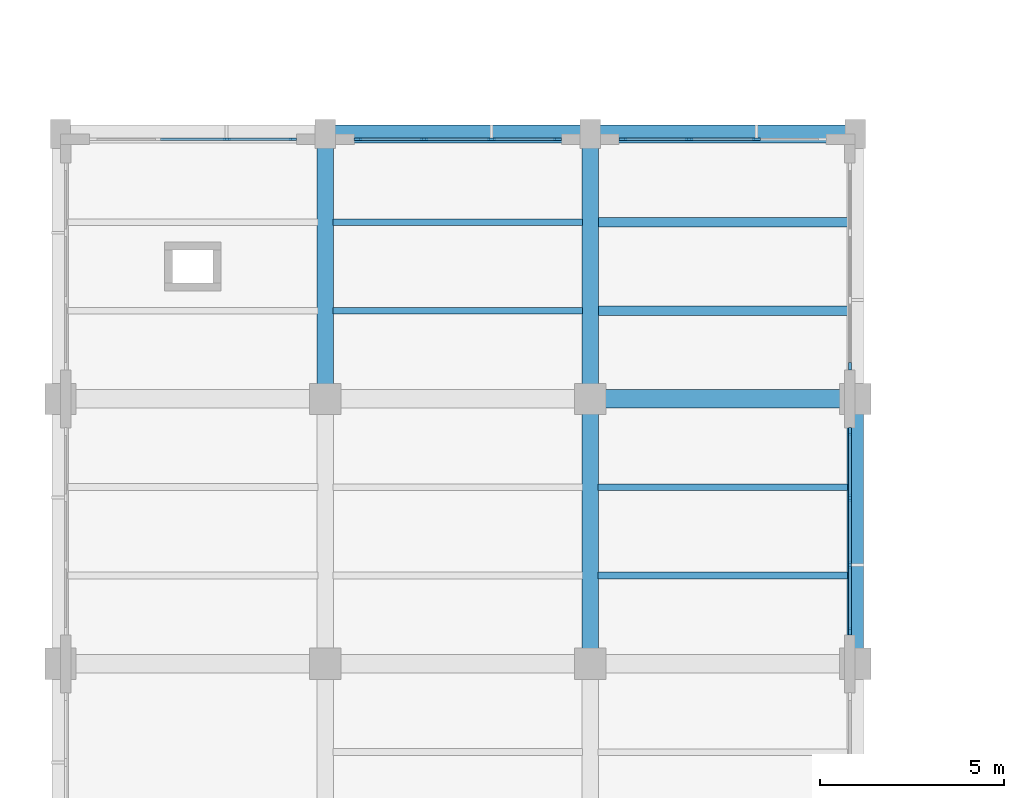
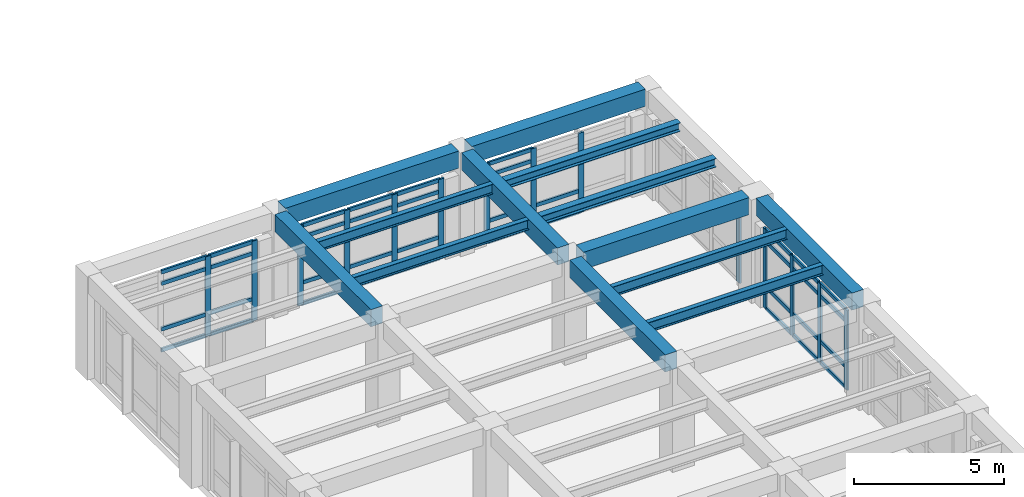
# One storey, part 49 of 98: 52 members, 13 beams, 5 elements without a shape of their own.
"""IFC4 building model written with IfcOpenShell, lengths in metres."""

from ifc_helpers import new_model, si_unit, direction, frame, origin, origin_2d, place, context, subcontext, project, spatial, rectangle, i_section, extrude, material, layer, layer_set, material_profile, profile_set, type_object, element, aggregate, save


model = new_model("IFC4")

# Units and contexts
model_context = context("Model", 3, precision=1e-05, world=origin(), true_north=direction((0.0, 1.0)))
body_context = subcontext(model_context, "Body", "Model", "MODEL_VIEW")
ifc_project = project(units=[si_unit("LENGTHUNIT", "METRE"), si_unit("AREAUNIT", "SQUARE_METRE"), si_unit("VOLUMEUNIT", "CUBIC_METRE"), si_unit("PLANEANGLEUNIT", "RADIAN"), si_unit("MASSUNIT", "GRAM", prefix="KILO")], contexts=[model_context])

# Site, building, storey
site_placement = place(None, origin())
site = spatial("IfcSite", under=ifc_project, at=site_placement, CompositionType="ELEMENT")
building_placement = place(site_placement, origin())
building = spatial("IfcBuilding", under=site, at=building_placement, Name="Solenvale Faculty of Natural Sciences", CompositionType="ELEMENT")
storey_placement = place(building_placement, frame((0.0, 0.0, 9.0)))
storey = spatial("IfcBuildingStorey", under=building, at=storey_placement, Name="L02", CompositionType="ELEMENT", Elevation=9.0)

# Beams
ifc_material_1 = material(Name="Concrete 40 MPa", Category="concrete")
ifc_material_profile_1 = material_profile(ifc_material_1, rectangle(XDim=0.449951171875, YDim=0.699951171875, at=origin_2d()), Name="RC-BM-450x700")
ifc_profile_set_1 = profile_set([ifc_material_profile_1], Name="Concrete 40 MPa")
beam_type_1 = type_object("IfcBeamType", Name="BM-RC-450x700", PredefinedType="BEAM", material=ifc_profile_set_1)
beam_1_placement = place(storey_placement, frame((43.199951171875, 86.804931640625, 3.8701171875), z_axis=(0.0, 1.0, 0.0), x_axis=(-1.0, 0.0, 0.0)))
element("IfcBeam", 1, at=beam_1_placement, inside=storey, type_object=beam_type_1, Name="L02 Y-Girder X43.2 (86.4..93.6)", PredefinedType="BEAM", context=body_context, shape_type="SweptSolid", body=[
    extrude(rectangle(XDim=0.449951171875, YDim=0.699951171875, at=origin_2d()), origin(), (0.0, 0.0, 1.0), 6.4150390625),
])
beam_2_placement = place(storey_placement, frame((50.39990234375, 79.60498046875, 3.8701171875), z_axis=(0.0, 1.0, 0.0), x_axis=(-1.0, 0.0, 0.0)))
element("IfcBeam", 2, at=beam_2_placement, inside=storey, type_object=beam_type_1, Name="L02 Y-Girder X50.4 (79.2..86.4)", PredefinedType="BEAM", context=body_context, shape_type="SweptSolid", body=[
    extrude(rectangle(XDim=0.449951171875, YDim=0.699951171875, at=origin_2d()), origin(), (0.0, 0.0, 1.0), 6.39013671875),
])
beam_3_placement = place(storey_placement, frame((50.39990234375, 86.804931640625, 3.8701171875), z_axis=(0.0, 1.0, 0.0), x_axis=(-1.0, 0.0, 0.0)))
element("IfcBeam", 3, at=beam_3_placement, inside=storey, type_object=beam_type_1, Name="L02 Y-Girder X50.4 (86.4..93.6)", PredefinedType="BEAM", context=body_context, shape_type="SweptSolid", body=[
    extrude(rectangle(XDim=0.449951171875, YDim=0.699951171875, at=origin_2d()), origin(), (0.0, 0.0, 1.0), 6.4150390625),
])
beam_4_placement = place(storey_placement, frame((57.60009765625, 79.60498046875, 3.8701171875), z_axis=(0.0, 1.0, 0.0), x_axis=(-1.0, 0.0, 0.0)))
element("IfcBeam", 4, at=beam_4_placement, inside=storey, type_object=beam_type_1, Name="L02 Y-Girder X57.6 (79.2..86.4)", PredefinedType="BEAM", context=body_context, shape_type="SweptSolid", body=[
    extrude(rectangle(XDim=0.449951171875, YDim=0.699951171875, at=origin_2d()), origin(), (0.0, 0.0, 1.0), 6.39013671875),
])
ifc_material_profile_2 = material_profile(ifc_material_1, rectangle(XDim=0.5, YDim=0.699951171875, at=origin_2d()), Name="RC-BM-500x700")
ifc_profile_set_2 = profile_set([ifc_material_profile_2], Name="Concrete 40 MPa")
beam_type_2 = type_object("IfcBeamType", Name="BM-RC-500x700", PredefinedType="BEAM", material=ifc_profile_set_2)
beam_5_placement = place(storey_placement, frame((50.804931640625, 86.39990234375, 3.8701171875), z_axis=(1.0, 0.0, 0.0), x_axis=(0.0, 1.0, 0.0)))
element("IfcBeam", 5, at=beam_5_placement, inside=storey, type_object=beam_type_2, Name="L02 X-Girder Y86.4 (50.4..57.6)", PredefinedType="BEAM", context=body_context, shape_type="SweptSolid", body=[
    extrude(rectangle(XDim=0.5, YDim=0.699951171875, at=origin_2d()), origin(), (0.0, 0.0, 1.0), 6.39013671875),
])
for number, where, z_axis, x_axis, name in (
    (6, (43.455078125, 93.60009765625, 3.8701171875), (1.0, 0.0, 0.0), (0.0, 1.0, 0.0), "L02 X-Girder Y93.6 (43.2..50.4)"),
    (7, (50.655029296875, 93.60009765625, 3.8701171875), (1.0, 0.0, 0.0), (0.0, 1.0, 0.0), "L02 X-Girder Y93.6 (50.4..57.6)"),
):
    element("IfcBeam", number, at=place(storey_placement, frame(where, z_axis=z_axis, x_axis=x_axis)), inside=storey, type_object=beam_type_2, Name=name, PredefinedType="BEAM", context=body_context, shape_type="SweptSolid", body=[
        extrude(rectangle(XDim=0.5, YDim=0.699951171875, at=origin_2d()), origin(), (0.0, 0.0, 1.0), 6.68994140625),
    ])
ifc_material_2 = material(Name="Steel S355", Category="steel")
ifc_material_profile_3 = material_profile(ifc_material_2, i_section(OverallWidth=0.2548828125, OverallDepth=0.35693359375, WebThickness=0.010498046875, FlangeThickness=0.018310546875, FilletRadius=0.014892578125, at=origin_2d()), Name="W360x101")
ifc_profile_set_3 = profile_set([ifc_material_profile_3], Name="Steel S355")
beam_type_3 = type_object("IfcBeamType", Name="BM-STL-W360x101", PredefinedType="JOIST", material=ifc_profile_set_3)
for number, where, z_axis, x_axis, name in (
    (8, (50.60498046875, 88.800048828125, 4.04150390625), (1.0, 0.0, 0.0), (0.0, 1.0, 0.0), "L02 Composite Floor Joist (8,13).1"),
    (9, (50.60498046875, 91.199951171875, 4.04150390625), (1.0, 0.0, 0.0), (0.0, 1.0, 0.0), "L02 Composite Floor Joist (8,13).2"),
):
    element("IfcBeam", number, at=place(storey_placement, frame(where, z_axis=z_axis, x_axis=x_axis)), inside=storey, type_object=beam_type_3, Name=name, PredefinedType="JOIST", context=body_context, shape_type="SweptSolid", body=[
        extrude(i_section(OverallWidth=0.2548828125, OverallDepth=0.35693359375, WebThickness=0.010498046875, FlangeThickness=0.018310546875, FilletRadius=0.014892578125, at=origin_2d()), origin(), (0.0, 0.0, 1.0), 6.7900390625),
    ])
ifc_material_profile_4 = material_profile(ifc_material_2, i_section(OverallWidth=0.178955078125, OverallDepth=0.409912109375, WebThickness=0.0087890625, FlangeThickness=0.014404296875, FilletRadius=0.01611328125, at=origin_2d()), Name="W410x67")
ifc_profile_set_4 = profile_set([ifc_material_profile_4], Name="Steel S355")
beam_type_4 = type_object("IfcBeamType", Name="BM-STL-W410x67", PredefinedType="JOIST", material=ifc_profile_set_4)
for number, where, z_axis, x_axis, name in (
    (10, (43.405029296875, 88.800048828125, 4.014892578125), (1.0, 0.0, 0.0), (0.0, 1.0, 0.0), "L02 Composite Floor Joist (7,13).1"),
    (11, (43.405029296875, 91.199951171875, 4.014892578125), (1.0, 0.0, 0.0), (0.0, 1.0, 0.0), "L02 Composite Floor Joist (7,13).2"),
    (12, (50.60498046875, 81.60009765625, 4.014892578125), (1.0, 0.0, 0.0), (0.0, 1.0, 0.0), "L02 Composite Floor Joist (8,12).1"),
    (13, (50.60498046875, 84.0, 4.014892578125), (1.0, 0.0, 0.0), (0.0, 1.0, 0.0), "L02 Composite Floor Joist (8,12).2"),
):
    element("IfcBeam", number, at=place(storey_placement, frame(where, z_axis=z_axis, x_axis=x_axis)), inside=storey, type_object=beam_type_4, Name=name, PredefinedType="JOIST", context=body_context, shape_type="SweptSolid", body=[
        extrude(i_section(OverallWidth=0.178955078125, OverallDepth=0.409912109375, WebThickness=0.0087890625, FlangeThickness=0.014404296875, FilletRadius=0.01611328125, at=origin_2d()), origin(), (0.0, 0.0, 1.0), 6.7900390625),
    ])

# Curtain wall, members
ifc_material_3 = material(Name="Anodised bronze aluminium", Category="aluminium")
ifc_layer = layer(ifc_material_3, 0.215087890625)
ifc_layer_set = layer_set([ifc_layer], Name="Anodised bronze aluminium")
curtain_wall_type = type_object("IfcCurtainWallType", Name="CW-ATR-UNIT", PredefinedType="USERDEFINED", material=ifc_layer_set)
curtain_wall_1_placement = place(storey_placement, origin())
curtain_wall_1 = element("IfcCurtainWall", 14, at=curtain_wall_1_placement, inside=storey, type_object=curtain_wall_type, Name="L02 Curtain Wall CW-L02-P1-E7-B6", ObjectType="UNITISED CURTAIN WALL", PredefinedType="USERDEFINED")
ifc_material_profile_5 = material_profile(ifc_material_3, rectangle(XDim=0.074951171875, YDim=0.2099609375, at=origin_2d()), Name="ALU-MUL-75x210")
ifc_profile_set_5 = profile_set([ifc_material_profile_5], Name="Anodised bronze aluminium")
member_type_1 = type_object("IfcMemberType", Name="CWM-ALU-75x210", PredefinedType="MULLION", material=ifc_profile_set_5)
member_1_placement = place(storey_placement, frame((57.45751953125, 80.08740234375, 0.0), z_axis=(0.0, 0.0, 1.0), x_axis=(-1.0, 0.0, 0.0)))
member_1 = element("IfcMember", 15, at=member_1_placement, type_object=member_type_1, Name="CW-01 mullion 1", PredefinedType="MULLION", context=body_context, shape_type="SweptSolid", body=[
    extrude(rectangle(XDim=0.074951171875, YDim=0.2099609375, at=origin_2d()), origin(), (0.0, 0.0, 1.0), 3.260009765625),
])
member_2_placement = place(storey_placement, frame((57.45751953125, 81.88330078125, 0.0), z_axis=(0.0, 0.0, 1.0), x_axis=(-1.0, 0.0, 0.0)))
member_2 = element("IfcMember", 16, at=member_2_placement, type_object=member_type_1, Name="CW-01 mullion 2", PredefinedType="MULLION", context=body_context, shape_type="SweptSolid", body=[
    extrude(rectangle(XDim=0.074951171875, YDim=0.2099609375, at=origin_2d()), origin(), (0.0, 0.0, 1.0), 3.260009765625),
])
member_3_placement = place(storey_placement, frame((57.45751953125, 83.716552734375, 0.0), z_axis=(0.0, 0.0, 1.0), x_axis=(-1.0, 0.0, 0.0)))
member_3 = element("IfcMember", 17, at=member_3_placement, type_object=member_type_1, Name="CW-01 mullion 3", PredefinedType="MULLION", context=body_context, shape_type="SweptSolid", body=[
    extrude(rectangle(XDim=0.074951171875, YDim=0.2099609375, at=origin_2d()), origin(), (0.0, 0.0, 1.0), 3.260009765625),
])
member_4_placement = place(storey_placement, frame((57.45751953125, 85.512451171875, 0.0), z_axis=(0.0, 0.0, 1.0), x_axis=(-1.0, 0.0, 0.0)))
member_4 = element("IfcMember", 18, at=member_4_placement, type_object=member_type_1, Name="CW-01 mullion 4", PredefinedType="MULLION", context=body_context, shape_type="SweptSolid", body=[
    extrude(rectangle(XDim=0.074951171875, YDim=0.2099609375, at=origin_2d()), origin(), (0.0, 0.0, 1.0), 3.260009765625),
])

# Curtain wall, member
curtain_wall_2_placement = place(storey_placement, origin())
curtain_wall_2 = element("IfcCurtainWall", 19, at=curtain_wall_2_placement, inside=storey, type_object=curtain_wall_type, Name="L02 Curtain Wall CW-L02-P1-E7-B7", ObjectType="UNITISED CURTAIN WALL", PredefinedType="USERDEFINED")
member_5_placement = place(storey_placement, frame((57.45751953125, 87.28759765625, 0.0), z_axis=(0.0, 0.0, 1.0), x_axis=(-1.0, 0.0, 0.0)))
member_5 = element("IfcMember", 20, at=member_5_placement, type_object=member_type_1, Name="CW-01 mullion 1", PredefinedType="MULLION", context=body_context, shape_type="SweptSolid", body=[
    extrude(rectangle(XDim=0.074951171875, YDim=0.2099609375, at=origin_2d()), origin(), (0.0, 0.0, 1.0), 3.260009765625),
])
aggregate(curtain_wall_2, [member_5])

# Curtain wall, members
curtain_wall_3_placement = place(storey_placement, origin())
curtain_wall_3 = element("IfcCurtainWall", 21, at=curtain_wall_3_placement, inside=storey, type_object=curtain_wall_type, Name="L02 Curtain Wall CW-L02-P1-E8-B1", ObjectType="UNITISED CURTAIN WALL", PredefinedType="USERDEFINED")
member_6_placement = place(storey_placement, frame((54.916748046875, 93.45751953125, 0.0), z_axis=(0.0, 0.0, 1.0), x_axis=(0.0, -1.0, 0.0)))
member_6 = element("IfcMember", 22, at=member_6_placement, type_object=member_type_1, Name="CW-01 mullion 2", PredefinedType="MULLION", context=body_context, shape_type="SweptSolid", body=[
    extrude(rectangle(XDim=0.074951171875, YDim=0.2099609375, at=origin_2d()), origin(), (0.0, 0.0, 1.0), 3.260009765625),
])
member_7_placement = place(storey_placement, frame((53.083251953125, 93.45751953125, 0.0), z_axis=(0.0, 0.0, 1.0), x_axis=(0.0, -1.0, 0.0)))
member_7 = element("IfcMember", 23, at=member_7_placement, type_object=member_type_1, Name="CW-01 mullion 3", PredefinedType="MULLION", context=body_context, shape_type="SweptSolid", body=[
    extrude(rectangle(XDim=0.074951171875, YDim=0.2099609375, at=origin_2d()), origin(), (0.0, 0.0, 1.0), 3.260009765625),
])
member_8_placement = place(storey_placement, frame((51.28759765625, 93.45751953125, 0.0), z_axis=(0.0, 0.0, 1.0), x_axis=(0.0, -1.0, 0.0)))
member_8 = element("IfcMember", 24, at=member_8_placement, type_object=member_type_1, Name="CW-01 mullion 4", PredefinedType="MULLION", context=body_context, shape_type="SweptSolid", body=[
    extrude(rectangle(XDim=0.074951171875, YDim=0.2099609375, at=origin_2d()), origin(), (0.0, 0.0, 1.0), 3.260009765625),
])

curtain_wall_4_placement = place(storey_placement, origin())
curtain_wall_4 = element("IfcCurtainWall", 25, at=curtain_wall_4_placement, inside=storey, type_object=curtain_wall_type, Name="L02 Curtain Wall CW-L02-P1-E8-B2", ObjectType="UNITISED CURTAIN WALL", PredefinedType="USERDEFINED")
member_9_placement = place(storey_placement, frame((49.512451171875, 93.45751953125, 0.0), z_axis=(0.0, 0.0, 1.0), x_axis=(0.0, -1.0, 0.0)))
member_9 = element("IfcMember", 26, at=member_9_placement, type_object=member_type_1, Name="CW-01 mullion 1", PredefinedType="MULLION", context=body_context, shape_type="SweptSolid", body=[
    extrude(rectangle(XDim=0.074951171875, YDim=0.2099609375, at=origin_2d()), origin(), (0.0, 0.0, 1.0), 3.260009765625),
])
member_10_placement = place(storey_placement, frame((47.716552734375, 93.45751953125, 0.0), z_axis=(0.0, 0.0, 1.0), x_axis=(0.0, -1.0, 0.0)))
member_10 = element("IfcMember", 27, at=member_10_placement, type_object=member_type_1, Name="CW-01 mullion 2", PredefinedType="MULLION", context=body_context, shape_type="SweptSolid", body=[
    extrude(rectangle(XDim=0.074951171875, YDim=0.2099609375, at=origin_2d()), origin(), (0.0, 0.0, 1.0), 3.260009765625),
])
member_11_placement = place(storey_placement, frame((45.88330078125, 93.45751953125, 0.0), z_axis=(0.0, 0.0, 1.0), x_axis=(0.0, -1.0, 0.0)))
member_11 = element("IfcMember", 28, at=member_11_placement, type_object=member_type_1, Name="CW-01 mullion 3", PredefinedType="MULLION", context=body_context, shape_type="SweptSolid", body=[
    extrude(rectangle(XDim=0.074951171875, YDim=0.2099609375, at=origin_2d()), origin(), (0.0, 0.0, 1.0), 3.260009765625),
])
member_12_placement = place(storey_placement, frame((44.08740234375, 93.45751953125, 0.0), z_axis=(0.0, 0.0, 1.0), x_axis=(0.0, -1.0, 0.0)))
member_12 = element("IfcMember", 29, at=member_12_placement, type_object=member_type_1, Name="CW-01 mullion 4", PredefinedType="MULLION", context=body_context, shape_type="SweptSolid", body=[
    extrude(rectangle(XDim=0.074951171875, YDim=0.2099609375, at=origin_2d()), origin(), (0.0, 0.0, 1.0), 3.260009765625),
])

curtain_wall_5_placement = place(storey_placement, origin())
curtain_wall_5 = element("IfcCurtainWall", 30, at=curtain_wall_5_placement, inside=storey, type_object=curtain_wall_type, Name="L02 Curtain Wall CW-L02-P1-E8-B3", ObjectType="UNITISED CURTAIN WALL", PredefinedType="USERDEFINED")
member_13_placement = place(storey_placement, frame((42.3125, 93.45751953125, 0.0), z_axis=(0.0, 0.0, 1.0), x_axis=(0.0, -1.0, 0.0)))
member_13 = element("IfcMember", 31, at=member_13_placement, type_object=member_type_1, Name="CW-01 mullion 1", PredefinedType="MULLION", context=body_context, shape_type="SweptSolid", body=[
    extrude(rectangle(XDim=0.074951171875, YDim=0.2099609375, at=origin_2d()), origin(), (0.0, 0.0, 1.0), 3.260009765625),
])
member_14_placement = place(storey_placement, frame((40.5166015625, 93.45751953125, 0.0), z_axis=(0.0, 0.0, 1.0), x_axis=(0.0, -1.0, 0.0)))
member_14 = element("IfcMember", 32, at=member_14_placement, type_object=member_type_1, Name="CW-01 mullion 2", PredefinedType="MULLION", context=body_context, shape_type="SweptSolid", body=[
    extrude(rectangle(XDim=0.074951171875, YDim=0.2099609375, at=origin_2d()), origin(), (0.0, 0.0, 1.0), 3.260009765625),
])

# Member
ifc_material_profile_6 = material_profile(ifc_material_3, rectangle(XDim=0.074951171875, YDim=0.155029296875, at=origin_2d()), Name="ALU-TRN-75x155")
ifc_profile_set_6 = profile_set([ifc_material_profile_6], Name="Anodised bronze aluminium")
member_type_2 = type_object("IfcMemberType", Name="CWT-ALU-75x155", PredefinedType="USERDEFINED", material=ifc_profile_set_6)
member_15_placement = place(storey_placement, frame((57.45751953125, 80.125, 0.03759765625), z_axis=(0.0, 1.0, 0.0), x_axis=(-1.0, 0.0, 0.0)))
member_15 = element("IfcMember", 33, at=member_15_placement, type_object=member_type_2, Name="CW-01 transom 1.1", ObjectType="TRANSOM", PredefinedType="USERDEFINED", context=body_context, shape_type="SweptSolid", body=[
    extrude(rectangle(XDim=0.074951171875, YDim=0.155029296875, at=origin_2d()), origin(), (0.0, 0.0, 1.0), 1.720947265625),
])

member_16_placement = place(storey_placement, frame((57.45751953125, 80.125, 0.89990234375), z_axis=(0.0, 1.0, 0.0), x_axis=(-1.0, 0.0, 0.0)))
member_16 = element("IfcMember", 34, at=member_16_placement, type_object=member_type_2, Name="CW-01 transom 1.2", ObjectType="TRANSOM", PredefinedType="USERDEFINED", context=body_context, shape_type="SweptSolid", body=[
    extrude(rectangle(XDim=0.074951171875, YDim=0.155029296875, at=origin_2d()), origin(), (0.0, 0.0, 1.0), 1.720947265625),
])

member_17_placement = place(storey_placement, frame((57.45751953125, 80.125, 2.760009765625), z_axis=(0.0, 1.0, 0.0), x_axis=(-1.0, 0.0, 0.0)))
member_17 = element("IfcMember", 35, at=member_17_placement, type_object=member_type_2, Name="CW-01 transom 1.3", ObjectType="TRANSOM", PredefinedType="USERDEFINED", context=body_context, shape_type="SweptSolid", body=[
    extrude(rectangle(XDim=0.074951171875, YDim=0.155029296875, at=origin_2d()), origin(), (0.0, 0.0, 1.0), 1.720947265625),
])

member_18_placement = place(storey_placement, frame((57.45751953125, 80.125, 3.222412109375), z_axis=(0.0, 1.0, 0.0), x_axis=(-1.0, 0.0, 0.0)))
member_18 = element("IfcMember", 36, at=member_18_placement, type_object=member_type_2, Name="CW-01 transom 1.4", ObjectType="TRANSOM", PredefinedType="USERDEFINED", context=body_context, shape_type="SweptSolid", body=[
    extrude(rectangle(XDim=0.074951171875, YDim=0.155029296875, at=origin_2d()), origin(), (0.0, 0.0, 1.0), 1.720947265625),
])

member_19_placement = place(storey_placement, frame((57.45751953125, 81.9208984375, 0.03759765625), z_axis=(0.0, 1.0, 0.0), x_axis=(-1.0, 0.0, 0.0)))
member_19 = element("IfcMember", 37, at=member_19_placement, type_object=member_type_2, Name="CW-01 transom 2.1", ObjectType="TRANSOM", PredefinedType="USERDEFINED", context=body_context, shape_type="SweptSolid", body=[
    extrude(rectangle(XDim=0.074951171875, YDim=0.155029296875, at=origin_2d()), origin(), (0.0, 0.0, 1.0), 1.75830078125),
])

member_20_placement = place(storey_placement, frame((57.45751953125, 81.9208984375, 0.89990234375), z_axis=(0.0, 1.0, 0.0), x_axis=(-1.0, 0.0, 0.0)))
member_20 = element("IfcMember", 38, at=member_20_placement, type_object=member_type_2, Name="CW-01 transom 2.2", ObjectType="TRANSOM", PredefinedType="USERDEFINED", context=body_context, shape_type="SweptSolid", body=[
    extrude(rectangle(XDim=0.074951171875, YDim=0.155029296875, at=origin_2d()), origin(), (0.0, 0.0, 1.0), 1.75830078125),
])

member_21_placement = place(storey_placement, frame((57.45751953125, 81.9208984375, 2.760009765625), z_axis=(0.0, 1.0, 0.0), x_axis=(-1.0, 0.0, 0.0)))
member_21 = element("IfcMember", 39, at=member_21_placement, type_object=member_type_2, Name="CW-01 transom 2.3", ObjectType="TRANSOM", PredefinedType="USERDEFINED", context=body_context, shape_type="SweptSolid", body=[
    extrude(rectangle(XDim=0.074951171875, YDim=0.155029296875, at=origin_2d()), origin(), (0.0, 0.0, 1.0), 1.75830078125),
])

member_22_placement = place(storey_placement, frame((57.45751953125, 81.9208984375, 3.222412109375), z_axis=(0.0, 1.0, 0.0), x_axis=(-1.0, 0.0, 0.0)))
member_22 = element("IfcMember", 40, at=member_22_placement, type_object=member_type_2, Name="CW-01 transom 2.4", ObjectType="TRANSOM", PredefinedType="USERDEFINED", context=body_context, shape_type="SweptSolid", body=[
    extrude(rectangle(XDim=0.074951171875, YDim=0.155029296875, at=origin_2d()), origin(), (0.0, 0.0, 1.0), 1.75830078125),
])

member_23_placement = place(storey_placement, frame((57.45751953125, 83.754150390625, 0.03759765625), z_axis=(0.0, 1.0, 0.0), x_axis=(-1.0, 0.0, 0.0)))
member_23 = element("IfcMember", 41, at=member_23_placement, type_object=member_type_2, Name="CW-01 transom 3.1", ObjectType="TRANSOM", PredefinedType="USERDEFINED", context=body_context, shape_type="SweptSolid", body=[
    extrude(rectangle(XDim=0.074951171875, YDim=0.155029296875, at=origin_2d()), origin(), (0.0, 0.0, 1.0), 1.720947265625),
])

member_24_placement = place(storey_placement, frame((57.45751953125, 83.754150390625, 0.89990234375), z_axis=(0.0, 1.0, 0.0), x_axis=(-1.0, 0.0, 0.0)))
member_24 = element("IfcMember", 42, at=member_24_placement, type_object=member_type_2, Name="CW-01 transom 3.2", ObjectType="TRANSOM", PredefinedType="USERDEFINED", context=body_context, shape_type="SweptSolid", body=[
    extrude(rectangle(XDim=0.074951171875, YDim=0.155029296875, at=origin_2d()), origin(), (0.0, 0.0, 1.0), 1.720947265625),
])

member_25_placement = place(storey_placement, frame((57.45751953125, 83.754150390625, 2.760009765625), z_axis=(0.0, 1.0, 0.0), x_axis=(-1.0, 0.0, 0.0)))
member_25 = element("IfcMember", 43, at=member_25_placement, type_object=member_type_2, Name="CW-01 transom 3.3", ObjectType="TRANSOM", PredefinedType="USERDEFINED", context=body_context, shape_type="SweptSolid", body=[
    extrude(rectangle(XDim=0.074951171875, YDim=0.155029296875, at=origin_2d()), origin(), (0.0, 0.0, 1.0), 1.720947265625),
])

member_26_placement = place(storey_placement, frame((57.45751953125, 83.754150390625, 3.222412109375), z_axis=(0.0, 1.0, 0.0), x_axis=(-1.0, 0.0, 0.0)))
member_26 = element("IfcMember", 44, at=member_26_placement, type_object=member_type_2, Name="CW-01 transom 3.4", ObjectType="TRANSOM", PredefinedType="USERDEFINED", context=body_context, shape_type="SweptSolid", body=[
    extrude(rectangle(XDim=0.074951171875, YDim=0.155029296875, at=origin_2d()), origin(), (0.0, 0.0, 1.0), 1.720947265625),
])

aggregate(curtain_wall_1, [member_1, member_2, member_3, member_4, member_15, member_16, member_17, member_18, member_19, member_20, member_21, member_22, member_23, member_24, member_25, member_26])

member_27_placement = place(storey_placement, frame((54.879150390625, 93.45751953125, 0.03759765625), z_axis=(-1.0, 0.0, 0.0), x_axis=(0.0, -1.0, 0.0)))
member_27 = element("IfcMember", 45, at=member_27_placement, type_object=member_type_2, Name="CW-01 transom 2.1", ObjectType="TRANSOM", PredefinedType="USERDEFINED", context=body_context, shape_type="SweptSolid", body=[
    extrude(rectangle(XDim=0.074951171875, YDim=0.155029296875, at=origin_2d()), origin(), (0.0, 0.0, 1.0), 1.75830078125),
])

member_28_placement = place(storey_placement, frame((54.879150390625, 93.45751953125, 0.89990234375), z_axis=(-1.0, 0.0, 0.0), x_axis=(0.0, -1.0, 0.0)))
member_28 = element("IfcMember", 46, at=member_28_placement, type_object=member_type_2, Name="CW-01 transom 2.2", ObjectType="TRANSOM", PredefinedType="USERDEFINED", context=body_context, shape_type="SweptSolid", body=[
    extrude(rectangle(XDim=0.074951171875, YDim=0.155029296875, at=origin_2d()), origin(), (0.0, 0.0, 1.0), 1.75830078125),
])

member_29_placement = place(storey_placement, frame((53.0458984375, 93.45751953125, 0.03759765625), z_axis=(-1.0, 0.0, 0.0), x_axis=(0.0, -1.0, 0.0)))
member_29 = element("IfcMember", 47, at=member_29_placement, type_object=member_type_2, Name="CW-01 transom 3.1", ObjectType="TRANSOM", PredefinedType="USERDEFINED", context=body_context, shape_type="SweptSolid", body=[
    extrude(rectangle(XDim=0.074951171875, YDim=0.155029296875, at=origin_2d()), origin(), (0.0, 0.0, 1.0), 1.720947265625),
])

member_30_placement = place(storey_placement, frame((53.0458984375, 93.45751953125, 0.89990234375), z_axis=(-1.0, 0.0, 0.0), x_axis=(0.0, -1.0, 0.0)))
member_30 = element("IfcMember", 48, at=member_30_placement, type_object=member_type_2, Name="CW-01 transom 3.2", ObjectType="TRANSOM", PredefinedType="USERDEFINED", context=body_context, shape_type="SweptSolid", body=[
    extrude(rectangle(XDim=0.074951171875, YDim=0.155029296875, at=origin_2d()), origin(), (0.0, 0.0, 1.0), 1.720947265625),
])

member_31_placement = place(storey_placement, frame((53.0458984375, 93.45751953125, 2.760009765625), z_axis=(-1.0, 0.0, 0.0), x_axis=(0.0, -1.0, 0.0)))
member_31 = element("IfcMember", 49, at=member_31_placement, type_object=member_type_2, Name="CW-01 transom 3.3", ObjectType="TRANSOM", PredefinedType="USERDEFINED", context=body_context, shape_type="SweptSolid", body=[
    extrude(rectangle(XDim=0.074951171875, YDim=0.155029296875, at=origin_2d()), origin(), (0.0, 0.0, 1.0), 1.720947265625),
])

member_32_placement = place(storey_placement, frame((53.0458984375, 93.45751953125, 3.222412109375), z_axis=(-1.0, 0.0, 0.0), x_axis=(0.0, -1.0, 0.0)))
member_32 = element("IfcMember", 50, at=member_32_placement, type_object=member_type_2, Name="CW-01 transom 3.4", ObjectType="TRANSOM", PredefinedType="USERDEFINED", context=body_context, shape_type="SweptSolid", body=[
    extrude(rectangle(XDim=0.074951171875, YDim=0.155029296875, at=origin_2d()), origin(), (0.0, 0.0, 1.0), 1.720947265625),
])

aggregate(curtain_wall_3, [member_6, member_7, member_8, member_27, member_28, member_29, member_30, member_31, member_32])

member_33_placement = place(storey_placement, frame((49.47509765625, 93.45751953125, 0.03759765625), z_axis=(-1.0, 0.0, 0.0), x_axis=(0.0, -1.0, 0.0)))
member_33 = element("IfcMember", 51, at=member_33_placement, type_object=member_type_2, Name="CW-01 transom 1.1", ObjectType="TRANSOM", PredefinedType="USERDEFINED", context=body_context, shape_type="SweptSolid", body=[
    extrude(rectangle(XDim=0.074951171875, YDim=0.155029296875, at=origin_2d()), origin(), (0.0, 0.0, 1.0), 1.720947265625),
])

member_34_placement = place(storey_placement, frame((49.47509765625, 93.45751953125, 0.89990234375), z_axis=(-1.0, 0.0, 0.0), x_axis=(0.0, -1.0, 0.0)))
member_34 = element("IfcMember", 52, at=member_34_placement, type_object=member_type_2, Name="CW-01 transom 1.2", ObjectType="TRANSOM", PredefinedType="USERDEFINED", context=body_context, shape_type="SweptSolid", body=[
    extrude(rectangle(XDim=0.074951171875, YDim=0.155029296875, at=origin_2d()), origin(), (0.0, 0.0, 1.0), 1.720947265625),
])

member_35_placement = place(storey_placement, frame((49.47509765625, 93.45751953125, 2.760009765625), z_axis=(-1.0, 0.0, 0.0), x_axis=(0.0, -1.0, 0.0)))
member_35 = element("IfcMember", 53, at=member_35_placement, type_object=member_type_2, Name="CW-01 transom 1.3", ObjectType="TRANSOM", PredefinedType="USERDEFINED", context=body_context, shape_type="SweptSolid", body=[
    extrude(rectangle(XDim=0.074951171875, YDim=0.155029296875, at=origin_2d()), origin(), (0.0, 0.0, 1.0), 1.720947265625),
])

member_36_placement = place(storey_placement, frame((49.47509765625, 93.45751953125, 3.222412109375), z_axis=(-1.0, 0.0, 0.0), x_axis=(0.0, -1.0, 0.0)))
member_36 = element("IfcMember", 54, at=member_36_placement, type_object=member_type_2, Name="CW-01 transom 1.4", ObjectType="TRANSOM", PredefinedType="USERDEFINED", context=body_context, shape_type="SweptSolid", body=[
    extrude(rectangle(XDim=0.074951171875, YDim=0.155029296875, at=origin_2d()), origin(), (0.0, 0.0, 1.0), 1.720947265625),
])

member_37_placement = place(storey_placement, frame((47.67919921875, 93.45751953125, 0.03759765625), z_axis=(-1.0, 0.0, 0.0), x_axis=(0.0, -1.0, 0.0)))
member_37 = element("IfcMember", 55, at=member_37_placement, type_object=member_type_2, Name="CW-01 transom 2.1", ObjectType="TRANSOM", PredefinedType="USERDEFINED", context=body_context, shape_type="SweptSolid", body=[
    extrude(rectangle(XDim=0.074951171875, YDim=0.155029296875, at=origin_2d()), origin(), (0.0, 0.0, 1.0), 1.75830078125),
])

member_38_placement = place(storey_placement, frame((47.67919921875, 93.45751953125, 0.89990234375), z_axis=(-1.0, 0.0, 0.0), x_axis=(0.0, -1.0, 0.0)))
member_38 = element("IfcMember", 56, at=member_38_placement, type_object=member_type_2, Name="CW-01 transom 2.2", ObjectType="TRANSOM", PredefinedType="USERDEFINED", context=body_context, shape_type="SweptSolid", body=[
    extrude(rectangle(XDim=0.074951171875, YDim=0.155029296875, at=origin_2d()), origin(), (0.0, 0.0, 1.0), 1.75830078125),
])

member_39_placement = place(storey_placement, frame((47.67919921875, 93.45751953125, 2.760009765625), z_axis=(-1.0, 0.0, 0.0), x_axis=(0.0, -1.0, 0.0)))
member_39 = element("IfcMember", 57, at=member_39_placement, type_object=member_type_2, Name="CW-01 transom 2.3", ObjectType="TRANSOM", PredefinedType="USERDEFINED", context=body_context, shape_type="SweptSolid", body=[
    extrude(rectangle(XDim=0.074951171875, YDim=0.155029296875, at=origin_2d()), origin(), (0.0, 0.0, 1.0), 1.75830078125),
])

member_40_placement = place(storey_placement, frame((47.67919921875, 93.45751953125, 3.222412109375), z_axis=(-1.0, 0.0, 0.0), x_axis=(0.0, -1.0, 0.0)))
member_40 = element("IfcMember", 58, at=member_40_placement, type_object=member_type_2, Name="CW-01 transom 2.4", ObjectType="TRANSOM", PredefinedType="USERDEFINED", context=body_context, shape_type="SweptSolid", body=[
    extrude(rectangle(XDim=0.074951171875, YDim=0.155029296875, at=origin_2d()), origin(), (0.0, 0.0, 1.0), 1.75830078125),
])

member_41_placement = place(storey_placement, frame((45.845947265625, 93.45751953125, 0.03759765625), z_axis=(-1.0, 0.0, 0.0), x_axis=(0.0, -1.0, 0.0)))
member_41 = element("IfcMember", 59, at=member_41_placement, type_object=member_type_2, Name="CW-01 transom 3.1", ObjectType="TRANSOM", PredefinedType="USERDEFINED", context=body_context, shape_type="SweptSolid", body=[
    extrude(rectangle(XDim=0.074951171875, YDim=0.155029296875, at=origin_2d()), origin(), (0.0, 0.0, 1.0), 1.720947265625),
])

member_42_placement = place(storey_placement, frame((45.845947265625, 93.45751953125, 0.89990234375), z_axis=(-1.0, 0.0, 0.0), x_axis=(0.0, -1.0, 0.0)))
member_42 = element("IfcMember", 60, at=member_42_placement, type_object=member_type_2, Name="CW-01 transom 3.2", ObjectType="TRANSOM", PredefinedType="USERDEFINED", context=body_context, shape_type="SweptSolid", body=[
    extrude(rectangle(XDim=0.074951171875, YDim=0.155029296875, at=origin_2d()), origin(), (0.0, 0.0, 1.0), 1.720947265625),
])

member_43_placement = place(storey_placement, frame((45.845947265625, 93.45751953125, 2.760009765625), z_axis=(-1.0, 0.0, 0.0), x_axis=(0.0, -1.0, 0.0)))
member_43 = element("IfcMember", 61, at=member_43_placement, type_object=member_type_2, Name="CW-01 transom 3.3", ObjectType="TRANSOM", PredefinedType="USERDEFINED", context=body_context, shape_type="SweptSolid", body=[
    extrude(rectangle(XDim=0.074951171875, YDim=0.155029296875, at=origin_2d()), origin(), (0.0, 0.0, 1.0), 1.720947265625),
])

member_44_placement = place(storey_placement, frame((45.845947265625, 93.45751953125, 3.222412109375), z_axis=(-1.0, 0.0, 0.0), x_axis=(0.0, -1.0, 0.0)))
member_44 = element("IfcMember", 62, at=member_44_placement, type_object=member_type_2, Name="CW-01 transom 3.4", ObjectType="TRANSOM", PredefinedType="USERDEFINED", context=body_context, shape_type="SweptSolid", body=[
    extrude(rectangle(XDim=0.074951171875, YDim=0.155029296875, at=origin_2d()), origin(), (0.0, 0.0, 1.0), 1.720947265625),
])

aggregate(curtain_wall_4, [member_9, member_10, member_11, member_12, member_33, member_34, member_35, member_36, member_37, member_38, member_39, member_40, member_41, member_42, member_43, member_44])

member_45_placement = place(storey_placement, frame((42.27490234375, 93.45751953125, 0.03759765625), z_axis=(-1.0, 0.0, 0.0), x_axis=(0.0, -1.0, 0.0)))
member_45 = element("IfcMember", 63, at=member_45_placement, type_object=member_type_2, Name="CW-01 transom 1.1", ObjectType="TRANSOM", PredefinedType="USERDEFINED", context=body_context, shape_type="SweptSolid", body=[
    extrude(rectangle(XDim=0.074951171875, YDim=0.155029296875, at=origin_2d()), origin(), (0.0, 0.0, 1.0), 1.720703125),
])

member_46_placement = place(storey_placement, frame((42.27490234375, 93.45751953125, 0.89990234375), z_axis=(-1.0, 0.0, 0.0), x_axis=(0.0, -1.0, 0.0)))
member_46 = element("IfcMember", 64, at=member_46_placement, type_object=member_type_2, Name="CW-01 transom 1.2", ObjectType="TRANSOM", PredefinedType="USERDEFINED", context=body_context, shape_type="SweptSolid", body=[
    extrude(rectangle(XDim=0.074951171875, YDim=0.155029296875, at=origin_2d()), origin(), (0.0, 0.0, 1.0), 1.720703125),
])

member_47_placement = place(storey_placement, frame((42.27490234375, 93.45751953125, 2.760009765625), z_axis=(-1.0, 0.0, 0.0), x_axis=(0.0, -1.0, 0.0)))
member_47 = element("IfcMember", 65, at=member_47_placement, type_object=member_type_2, Name="CW-01 transom 1.3", ObjectType="TRANSOM", PredefinedType="USERDEFINED", context=body_context, shape_type="SweptSolid", body=[
    extrude(rectangle(XDim=0.074951171875, YDim=0.155029296875, at=origin_2d()), origin(), (0.0, 0.0, 1.0), 1.720703125),
])

member_48_placement = place(storey_placement, frame((42.27490234375, 93.45751953125, 3.222412109375), z_axis=(-1.0, 0.0, 0.0), x_axis=(0.0, -1.0, 0.0)))
member_48 = element("IfcMember", 66, at=member_48_placement, type_object=member_type_2, Name="CW-01 transom 1.4", ObjectType="TRANSOM", PredefinedType="USERDEFINED", context=body_context, shape_type="SweptSolid", body=[
    extrude(rectangle(XDim=0.074951171875, YDim=0.155029296875, at=origin_2d()), origin(), (0.0, 0.0, 1.0), 1.720703125),
])

member_49_placement = place(storey_placement, frame((40.479248046875, 93.45751953125, 0.03759765625), z_axis=(-1.0, 0.0, 0.0), x_axis=(0.0, -1.0, 0.0)))
member_49 = element("IfcMember", 67, at=member_49_placement, type_object=member_type_2, Name="CW-01 transom 2.1", ObjectType="TRANSOM", PredefinedType="USERDEFINED", context=body_context, shape_type="SweptSolid", body=[
    extrude(rectangle(XDim=0.074951171875, YDim=0.155029296875, at=origin_2d()), origin(), (0.0, 0.0, 1.0), 1.75830078125),
])

member_50_placement = place(storey_placement, frame((40.479248046875, 93.45751953125, 0.89990234375), z_axis=(-1.0, 0.0, 0.0), x_axis=(0.0, -1.0, 0.0)))
member_50 = element("IfcMember", 68, at=member_50_placement, type_object=member_type_2, Name="CW-01 transom 2.2", ObjectType="TRANSOM", PredefinedType="USERDEFINED", context=body_context, shape_type="SweptSolid", body=[
    extrude(rectangle(XDim=0.074951171875, YDim=0.155029296875, at=origin_2d()), origin(), (0.0, 0.0, 1.0), 1.75830078125),
])

member_51_placement = place(storey_placement, frame((40.479248046875, 93.45751953125, 2.760009765625), z_axis=(-1.0, 0.0, 0.0), x_axis=(0.0, -1.0, 0.0)))
member_51 = element("IfcMember", 69, at=member_51_placement, type_object=member_type_2, Name="CW-01 transom 2.3", ObjectType="TRANSOM", PredefinedType="USERDEFINED", context=body_context, shape_type="SweptSolid", body=[
    extrude(rectangle(XDim=0.074951171875, YDim=0.155029296875, at=origin_2d()), origin(), (0.0, 0.0, 1.0), 1.75830078125),
])

member_52_placement = place(storey_placement, frame((40.479248046875, 93.45751953125, 3.222412109375), z_axis=(-1.0, 0.0, 0.0), x_axis=(0.0, -1.0, 0.0)))
member_52 = element("IfcMember", 70, at=member_52_placement, type_object=member_type_2, Name="CW-01 transom 2.4", ObjectType="TRANSOM", PredefinedType="USERDEFINED", context=body_context, shape_type="SweptSolid", body=[
    extrude(rectangle(XDim=0.074951171875, YDim=0.155029296875, at=origin_2d()), origin(), (0.0, 0.0, 1.0), 1.75830078125),
])

aggregate(curtain_wall_5, [member_13, member_14, member_45, member_46, member_47, member_48, member_49, member_50, member_51, member_52])

save(model, "model.ifc")
